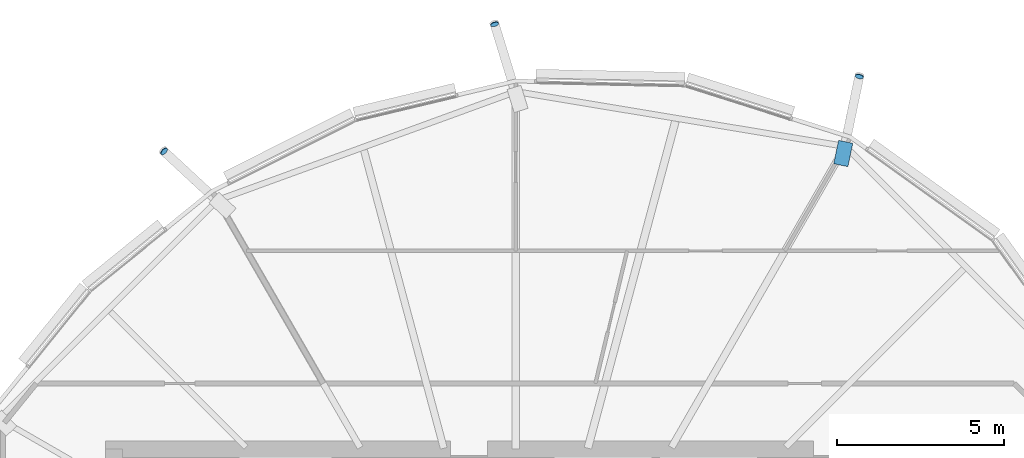
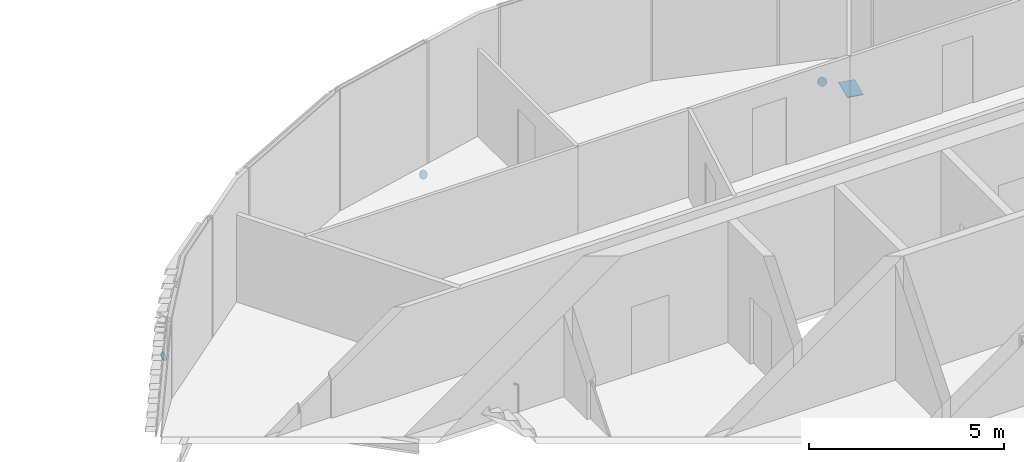
# One storey, part 31 of 36: 4 discrete accessories.
"""IFC4 building model written with IfcOpenShell, lengths in metres."""

from ifc_helpers import new_model, si_unit, direction, frame, origin, origin_2d, place, context, subcontext, project, spatial, polyline, rectangle, circle, outline, extrude, material, material_profile, profile_set, type_object, element, save


model = new_model("IFC4")

# Units and contexts
model_context = context("Model", 3, precision=1e-05, world=origin(), true_north=direction((0.0, 1.0)))
body_context = subcontext(model_context, "Body", "Model", "MODEL_VIEW")
ifc_project = project(units=[si_unit("LENGTHUNIT", "METRE"), si_unit("AREAUNIT", "SQUARE_METRE"), si_unit("VOLUMEUNIT", "CUBIC_METRE"), si_unit("PLANEANGLEUNIT", "RADIAN"), si_unit("MASSUNIT", "GRAM", prefix="KILO")], contexts=[model_context])

# Site, building, storey
site_placement = place(None, origin())
site = spatial("IfcSite", under=ifc_project, at=site_placement, CompositionType="ELEMENT")
building_placement = place(site_placement, origin())
building = spatial("IfcBuilding", under=site, at=building_placement, Name="Rimbun Link Towers", CompositionType="ELEMENT")
storey_placement = place(building_placement, frame((0.0, 0.0, 248.5)))
storey = spatial("IfcBuildingStorey", under=building, at=storey_placement, Name="L61", CompositionType="ELEMENT", Elevation=248.5)

# Discrete accessories
ifc_material_1 = material(Name="Steel S355J2H", Category="steel")
ifc_material_profile_1 = material_profile(ifc_material_1, circle(Radius=0.1240234375, at=origin_2d()), Name="PL D248")
ifc_profile_set_1 = profile_set([ifc_material_profile_1], Name="Steel S355J2H")
discrete_accessory_type_1 = type_object("IfcDiscreteAccessoryType", Name="Link foot sealing plate D248X20", PredefinedType="BRACKET", material=ifc_profile_set_1)
for number, where, z_axis, x_axis, name in (
    (1, (42.00830078125, 19.127685546875, -2.026123046875), (0.171088300858, 0.855441504291, -0.488823716738), (-0.980580675691, 0.196116135138, 0.0), "Link foot sealing plate T2 L61 01"),
    (2, (31.119873046875, 20.688232421875, -2.06103515625), (-0.257228578574, 0.832930635384, -0.489959197285), (-0.955474691182, -0.295073066394, 0.0), "Link foot sealing plate T2 L61 03"),
    (3, (21.246826171875, 16.893798828125, -1.984375), (-0.635803253097, 0.586895310551, -0.501306411095), (-0.678280102733, -0.734803444627, 0.0), "Link foot sealing plate T2 L61 05"),
):
    element("IfcDiscreteAccessory", number, at=place(storey_placement, frame(where, z_axis=z_axis, x_axis=x_axis)), inside=storey, type_object=discrete_accessory_type_1, Name=name, PredefinedType="BRACKET", context=body_context, shape_type="SweptSolid", body=[
        extrude(circle(Radius=0.1240234375, at=origin_2d()), origin(), (0.0, 0.0, 1.0), 0.02001953125),
    ])
ifc_material_2 = material(Name="Steel S355J2H", Category="steel")
ifc_material_profile_2 = material_profile(ifc_material_2, rectangle(XDim=0.43310546875, YDim=0.43310546875, at=origin_2d()), Name="PL 433x433")
ifc_profile_set_2 = profile_set([ifc_material_profile_2], Name="Steel S355J2H")
discrete_accessory_type_2 = type_object("IfcDiscreteAccessoryType", Name="Link head end plate 433X20", PredefinedType="BRACKET", material=ifc_profile_set_2)
discrete_accessory_placement = place(storey_placement, frame((0.0, 0.0, -0.693115234375)))
element("IfcDiscreteAccessory", 4, at=discrete_accessory_placement, inside=storey, type_object=discrete_accessory_type_2, Name="Link head end plate T2 L61 01", PredefinedType="BRACKET", context=body_context, shape_type="SweptSolid", body=[
    extrude(outline(polyline([(41.670654296875, 16.440673828125), (41.815673828125, 17.137939453125), (41.3916015625, 17.22607421875), (41.24658203125, 16.52880859375), (41.670654296875, 16.440673828125)])), origin(), (0.0, 0.0, 1.0), 0.02001953125),
])

save(model, "model.ifc")
